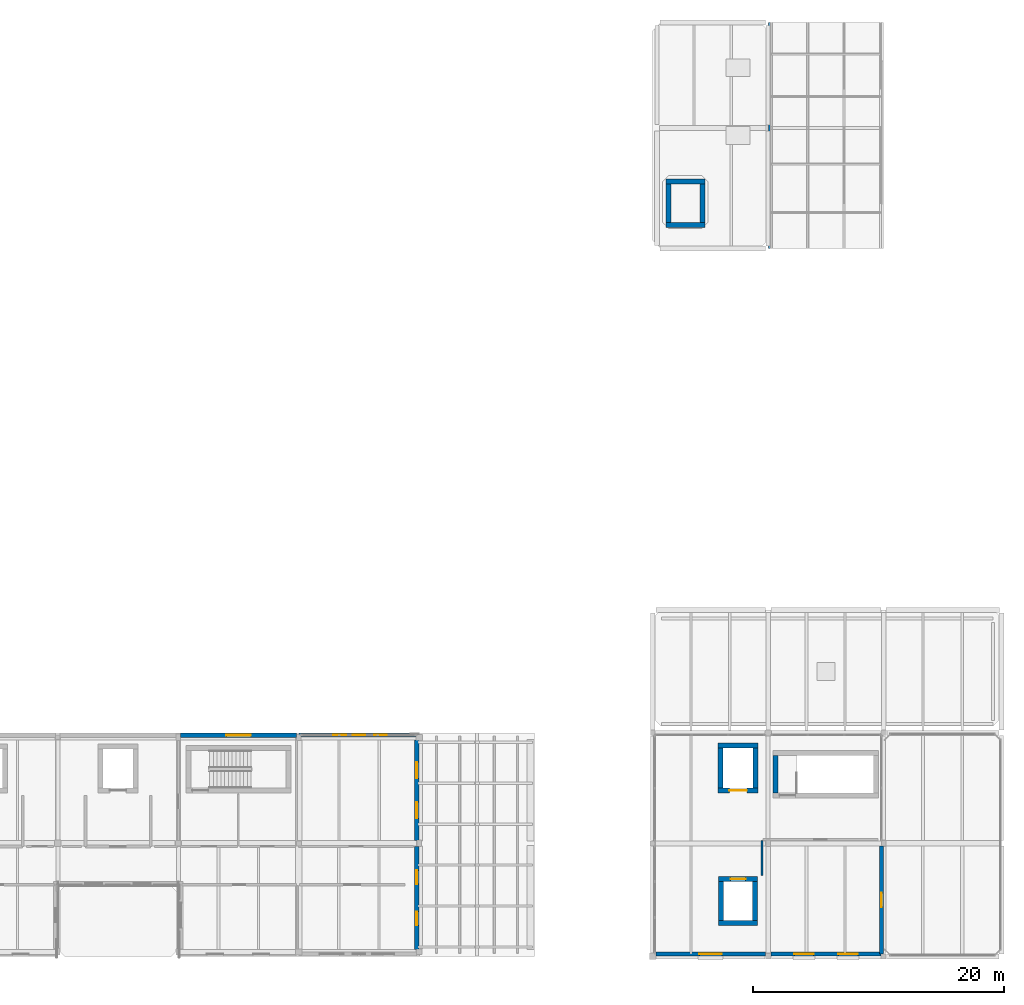
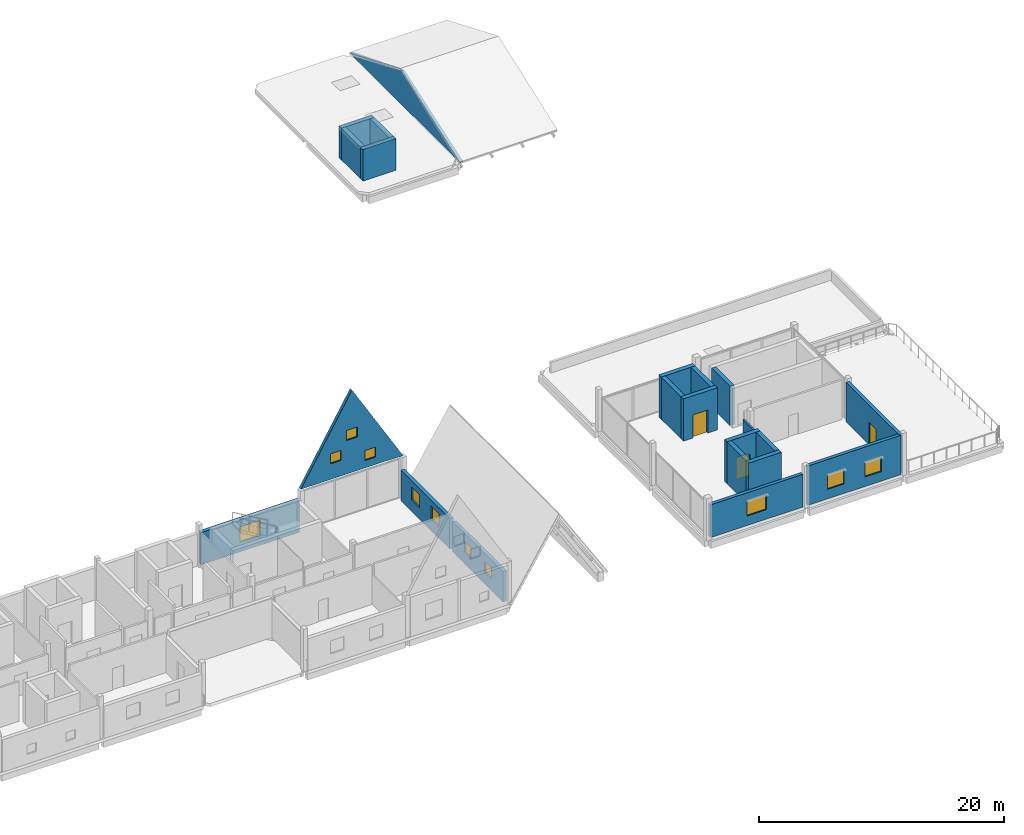
# One storey, part 16 of 23: 22 walls, 11 windows, 3 doors, 14 openings.
"""IFC4 building model written with IfcOpenShell, lengths in metres."""

from ifc_helpers import new_model, si_unit, direction, frame, frame_2d, origin, place, context, subcontext, project, spatial, polyline, rectangle, outline, extrude, material, layer, layer_set, type_object, element, fill, save


model = new_model("IFC4")

# Units and contexts
model_context = context("Model", 3, precision=1e-05, world=origin(), true_north=direction((0.0, 1.0)))
body_context = subcontext(model_context, "Body", "Model", "MODEL_VIEW")
ifc_project = project(units=[si_unit("LENGTHUNIT", "METRE"), si_unit("AREAUNIT", "SQUARE_METRE"), si_unit("VOLUMEUNIT", "CUBIC_METRE"), si_unit("PLANEANGLEUNIT", "RADIAN"), si_unit("MASSUNIT", "GRAM", prefix="KILO")], contexts=[model_context])

# Site, building, storey
site_placement = place(None, origin())
site = spatial("IfcSite", under=ifc_project, at=site_placement, CompositionType="ELEMENT")
building_placement = place(site_placement, origin())
building = spatial("IfcBuilding", under=site, at=building_placement, Name="Birchvale Park Specialist Clinic", CompositionType="ELEMENT")
storey_placement = place(building_placement, frame((0.0, 0.0, 18.0)))
storey = spatial("IfcBuildingStorey", under=building, at=storey_placement, Name="L04", CompositionType="ELEMENT", Elevation=18.0)

# Walls
ifc_material_1 = material(Name="Concrete C40/50", Category="concrete")
ifc_layer_1 = layer(ifc_material_1, 0.39990234375)
ifc_layer_set_1 = layer_set([ifc_layer_1], Name="Concrete C40/50")
wall_type_1 = type_object("IfcWallType", Name="WL-CW-120", PredefinedType="SHEAR", material=ifc_layer_set_1)
wall_1_placement = place(storey_placement, frame((137.800048828125, 29.800048828125, 0.0), z_axis=(0.0, 0.0, 1.0), x_axis=(0.0, 1.0, 0.0)))
element("IfcWall", 1, at=wall_1_placement, inside=storey, type_object=wall_type_1, Name="L04 stair ST6 EI 120 enclosure wall (west)", PredefinedType="SHEAR", context=body_context, shape_type="SweptSolid", body=[
    extrude(rectangle(XDim=3.0, YDim=0.39990234375, at=frame_2d((1.5, 0.0))), origin(), (0.0, 0.0, 1.0), 3.919921875),
])
for number, where, z_axis, x_axis, name in (
    (2, (129.050048828125, 75.050048828125, 0.0), (0.0, 0.0, 1.0), (1.0, 0.0, 0.0), "L04 lift LP2 shaft wall (south)"),
    (3, (132.14990234375, 78.550048828125, 0.0), (0.0, 0.0, 1.0), (-1.0, 0.0, 0.0), "L04 lift LP2 shaft wall (north)"),
):
    element("IfcWall", number, at=place(storey_placement, frame(where, z_axis=z_axis, x_axis=x_axis)), inside=storey, type_object=wall_type_1, Name=name, PredefinedType="SHEAR", context=body_context, shape_type="SweptSolid", body=[
        extrude(rectangle(XDim=3.099853515625, YDim=0.39990234375, at=frame_2d((1.5498046875, 0.0))), origin(), (0.0, 0.0, 1.0), 3.14990234375),
    ])
for number, where, z_axis, x_axis, name in (
    (4, (129.25, 75.25, 0.0), (0.0, 0.0, 1.0), (0.0, 1.0, 0.0), "L04 lift LP2 shaft wall (west)"),
    (5, (131.949951171875, 78.35009765625, 0.0), (0.0, 0.0, 1.0), (0.0, -1.0, 0.0), "L04 lift LP2 shaft wall (east)"),
):
    element("IfcWall", number, at=place(storey_placement, frame(where, z_axis=z_axis, x_axis=x_axis)), inside=storey, type_object=wall_type_1, Name=name, PredefinedType="SHEAR", context=body_context, shape_type="SweptSolid", body=[
        extrude(rectangle(XDim=3.10009765625, YDim=0.39990234375, at=frame_2d((1.550048828125, 0.0))), origin(), (0.0, 0.0, 1.0), 3.14990234375),
    ])
wall_2_placement = place(storey_placement, frame((133.25, 19.449951171875, 0.0), z_axis=(0.0, 0.0, 1.0), x_axis=(1.0, 0.0, 0.0)))
element("IfcWall", 6, at=wall_2_placement, inside=storey, type_object=wall_type_1, Name="L04 lift LP4 shaft wall (south)", PredefinedType="SHEAR", context=body_context, shape_type="SweptSolid", body=[
    extrude(rectangle(XDim=3.10009765625, YDim=0.39990234375, at=frame_2d((1.550048828125, 0.0))), origin(), (0.0, 0.0, 1.0), 4.199951171875),
])

# Wall, opening, door
wall_3_placement = place(storey_placement, frame((136.35009765625, 22.949951171875, 0.0), z_axis=(0.0, 0.0, 1.0), x_axis=(-1.0, 0.0, 0.0)))
wall_3 = element("IfcWall", 7, at=wall_3_placement, inside=storey, type_object=wall_type_1, Name="L04 lift LP4 shaft wall (north)", PredefinedType="SHEAR", context=body_context, shape_type="SweptSolid", body=[
    extrude(rectangle(XDim=3.10009765625, YDim=0.39990234375, at=frame_2d((1.550048828125, 0.0))), origin(), (0.0, 0.0, 1.0), 4.199951171875),
])
opening_1_placement = place(wall_3_placement, frame((0.949951171875, 0.0, 0.0)))
opening_1 = element("IfcOpeningElement", 8, at=opening_1_placement, cuts=wall_3, Name="Opening LD-01", PredefinedType="OPENING", context=body_context, shape_type="SweptSolid", body=[
    extrude(rectangle(XDim=1.199951171875, YDim=2.199951171875, at=frame_2d((0.60009765625, 1.10009765625))), frame((0.0, 0.2099609375, 0.0), z_axis=(0.0, -1.0, 0.0), x_axis=(1.0, 0.0, 0.0)), (0.0, 0.0, 1.0), 0.419921875),
])
ifc_material_2 = material(Name="Solid-core birch veneer and anodised aluminium", Category="aluminium")
door_type_1 = type_object("IfcDoorType", Name="DR-LD-01", OperationType="DOUBLE_DOOR_SLIDING", PredefinedType="DOOR", material=ifc_material_2)
door_1_placement = place(opening_1_placement, origin())
door_1 = element("IfcDoor", 9, at=door_1_placement, inside=storey, type_object=door_type_1, Name="L04 lift LP4 sliding landing door", OperationType="DOUBLE_DOOR_SLIDING", OverallHeight=2.199951171875, OverallWidth=1.199951171875, PredefinedType="DOOR", context=body_context, shape_type="SweptSolid", body=[
    extrude(rectangle(XDim=1.199951171875, YDim=2.199951171875, at=frame_2d((0.60009765625, 1.10009765625))), frame((0.0, 0.02490234375, 0.0), z_axis=(0.0, -1.0, 0.0), x_axis=(1.0, 0.0, 0.0)), (0.0, 0.0, 1.0), 0.050048828125),
])
fill(opening_1, door_1)

# Walls
for number, where, z_axis, x_axis, name in (
    (10, (133.449951171875, 19.64990234375, 0.0), (0.0, 0.0, 1.0), (0.0, 1.0, 0.0), "L04 lift LP4 shaft wall (west)"),
    (11, (136.14990234375, 22.75, 0.0), (0.0, 0.0, 1.0), (0.0, -1.0, 0.0), "L04 lift LP4 shaft wall (east)"),
):
    element("IfcWall", number, at=place(storey_placement, frame(where, z_axis=z_axis, x_axis=x_axis)), inside=storey, type_object=wall_type_1, Name=name, PredefinedType="SHEAR", context=body_context, shape_type="SweptSolid", body=[
        extrude(rectangle(XDim=3.10009765625, YDim=0.39990234375, at=frame_2d((1.550048828125, 0.0))), origin(), (0.0, 0.0, 1.0), 4.199951171875),
    ])

# Wall, opening, door
wall_4_placement = place(storey_placement, frame((133.199951171875, 30.0, 0.0), z_axis=(0.0, 0.0, 1.0), x_axis=(1.0, 0.0, 0.0)))
wall_4 = element("IfcWall", 12, at=wall_4_placement, inside=storey, type_object=wall_type_1, Name="L04 lift LS2 shaft wall (south)", PredefinedType="SHEAR", context=body_context, shape_type="SweptSolid", body=[
    extrude(rectangle(XDim=3.199951171875, YDim=0.39990234375, at=frame_2d((1.60009765625, 0.0))), origin(), (0.0, 0.0, 1.0), 4.199951171875),
])
opening_2_placement = place(wall_4_placement, frame((0.89990234375, 0.0, 0.0)))
opening_2 = element("IfcOpeningElement", 13, at=opening_2_placement, cuts=wall_4, Name="Opening LD-03", PredefinedType="OPENING", context=body_context, shape_type="SweptSolid", body=[
    extrude(rectangle(XDim=1.39990234375, YDim=2.300048828125, at=frame_2d((0.699951171875, 1.14990234375))), frame((0.0, 0.2099609375, 0.0), z_axis=(0.0, -1.0, 0.0), x_axis=(1.0, 0.0, 0.0)), (0.0, 0.0, 1.0), 0.419921875),
])
door_type_2 = type_object("IfcDoorType", Name="DR-LD-03", OperationType="DOUBLE_DOOR_SLIDING", PredefinedType="DOOR", material=ifc_material_2)
door_2_placement = place(opening_2_placement, origin())
door_2 = element("IfcDoor", 14, at=door_2_placement, inside=storey, type_object=door_type_2, Name="L04 lift LS2 sliding landing door", OperationType="DOUBLE_DOOR_SLIDING", OverallHeight=2.300048828125, OverallWidth=1.39990234375, PredefinedType="DOOR", context=body_context, shape_type="SweptSolid", body=[
    extrude(rectangle(XDim=1.39990234375, YDim=2.300048828125, at=frame_2d((0.699951171875, 1.14990234375))), frame((0.0, 0.02490234375, 0.0), z_axis=(0.0, -1.0, 0.0), x_axis=(1.0, 0.0, 0.0)), (0.0, 0.0, 1.0), 0.050048828125),
])
fill(opening_2, door_2)

# Walls
for number, where, z_axis, x_axis, name in (
    (15, (136.39990234375, 33.60009765625, 0.0), (0.0, 0.0, 1.0), (-1.0, 0.0, 0.0), "L04 lift LS2 shaft wall (north)"),
    (16, (133.39990234375, 30.199951171875, 0.0), (0.0, 0.0, 1.0), (0.0, 1.0, 0.0), "L04 lift LS2 shaft wall (west)"),
    (17, (136.199951171875, 33.39990234375, 0.0), (0.0, 0.0, 1.0), (0.0, -1.0, 0.0), "L04 lift LS2 shaft wall (east)"),
):
    element("IfcWall", number, at=place(storey_placement, frame(where, z_axis=z_axis, x_axis=x_axis)), inside=storey, type_object=wall_type_1, Name=name, PredefinedType="SHEAR", context=body_context, shape_type="SweptSolid", body=[
        extrude(rectangle(XDim=3.199951171875, YDim=0.39990234375, at=frame_2d((1.60009765625, 0.0))), origin(), (0.0, 0.0, 1.0), 4.199951171875),
    ])

# Wall, openings, windows
ifc_material_3 = material(Name="Lime-white mineral-rendered insulated masonry", Category="masonry")
ifc_layer_2 = layer(ifc_material_3, 0.340087890625)
ifc_layer_set_2 = layer_set([ifc_layer_2], Name="Lime-white mineral-rendered insulated masonry")
wall_type_2 = type_object("IfcWallType", Name="WL-EW-01", PredefinedType="STANDARD", material=ifc_layer_set_2)
wall_5_placement = place(storey_placement, frame((109.2099609375, 17.360107421875, 0.0), z_axis=(0.0, 0.0, 1.0), x_axis=(0.0, 1.0, 0.0)))
wall_5 = element("IfcWall", 18, at=wall_5_placement, inside=storey, type_object=wall_type_2, Name="V4 L04 exterior facade wall 282", PredefinedType="STANDARD", context=body_context, shape_type="SweptSolid", body=[
    extrude(rectangle(XDim=8.19482421875, YDim=0.340087890625, at=frame_2d((4.097412109375, 0.0))), origin(), (0.0, 0.0, 1.0), 3.034912109375),
])
opening_3_placement = place(wall_5_placement, frame((1.908447265625, 0.0, 1.14990234375)))
opening_3 = element("IfcOpeningElement", 19, at=opening_3_placement, cuts=wall_5, Name="Opening W-SQ11", PredefinedType="OPENING", context=body_context, shape_type="SweptSolid", body=[
    extrude(rectangle(XDim=1.10009765625, YDim=1.10009765625, at=frame_2d((0.550048828125, 0.550048828125))), frame((0.0, 0.18017578125, 0.0), z_axis=(0.0, -1.0, 0.0), x_axis=(1.0, 0.0, 0.0)), (0.0, 0.0, 1.0), 0.360107421875),
])
opening_4_placement = place(wall_5_placement, frame((5.1865234375, 0.0, 1.14990234375)))
opening_4 = element("IfcOpeningElement", 20, at=opening_4_placement, cuts=wall_5, Name="Opening W-SQ11", PredefinedType="OPENING", context=body_context, shape_type="SweptSolid", body=[
    extrude(rectangle(XDim=1.10009765625, YDim=1.10009765625, at=frame_2d((0.550048828125, 0.550048828125))), frame((0.0, 0.18017578125, 0.0), z_axis=(0.0, -1.0, 0.0), x_axis=(1.0, 0.0, 0.0)), (0.0, 0.0, 1.0), 0.360107421875),
])
ifc_material_4 = material(Name="Solar-control low-E double glazing", Category="glass")
window_type_1 = type_object("IfcWindowType", Name="WIN-W-SQ11", PartitioningType="SINGLE_PANEL", PredefinedType="WINDOW", material=ifc_material_4)
window_1_placement = place(opening_3_placement, origin())
window_1 = element("IfcWindow", 21, at=window_1_placement, inside=storey, type_object=window_type_1, Name="V4 L04 cased window 141", OverallHeight=1.10009765625, OverallWidth=1.10009765625, PartitioningType="SINGLE_PANEL", PredefinedType="WINDOW", context=body_context, shape_type="SweptSolid", body=[
    extrude(rectangle(XDim=1.10009765625, YDim=1.10009765625, at=frame_2d((0.550048828125, 0.550048828125))), frame((0.0, 0.030029296875, 0.0), z_axis=(0.0, -1.0, 0.0), x_axis=(1.0, 0.0, 0.0)), (0.0, 0.0, 1.0), 0.06005859375),
])
fill(opening_3, window_1)
window_2_placement = place(opening_4_placement, origin())
window_2 = element("IfcWindow", 22, at=window_2_placement, inside=storey, type_object=window_type_1, Name="V4 L04 cased window 142", OverallHeight=1.10009765625, OverallWidth=1.10009765625, PartitioningType="SINGLE_PANEL", PredefinedType="WINDOW", context=body_context, shape_type="SweptSolid", body=[
    extrude(rectangle(XDim=1.10009765625, YDim=1.10009765625, at=frame_2d((0.550048828125, 0.550048828125))), frame((0.0, 0.030029296875, 0.0), z_axis=(0.0, -1.0, 0.0), x_axis=(1.0, 0.0, 0.0)), (0.0, 0.0, 1.0), 0.06005859375),
])
fill(opening_4, window_2)

wall_6_placement = place(storey_placement, frame((109.2099609375, 26.044921875, 0.0), z_axis=(0.0, 0.0, 1.0), x_axis=(0.0, 1.0, 0.0)))
wall_6 = element("IfcWall", 23, at=wall_6_placement, inside=storey, type_object=wall_type_2, Name="V4 L04 exterior facade wall 283", PredefinedType="STANDARD", context=body_context, shape_type="SweptSolid", body=[
    extrude(rectangle(XDim=7.969970703125, YDim=0.340087890625, at=frame_2d((3.98486328125, 0.0))), origin(), (0.0, 0.0, 1.0), 3.034912109375),
])
opening_5_placement = place(wall_6_placement, frame((1.740966796875, 0.0, 1.14990234375)))
opening_5 = element("IfcOpeningElement", 24, at=opening_5_placement, cuts=wall_6, Name="Opening W-SQ13", PredefinedType="OPENING", context=body_context, shape_type="SweptSolid", body=[
    extrude(rectangle(XDim=1.300048828125, YDim=1.300048828125, at=frame_2d((0.64990234375, 0.64990234375))), frame((0.0, 0.18017578125, 0.0), z_axis=(0.0, -1.0, 0.0), x_axis=(1.0, 0.0, 0.0)), (0.0, 0.0, 1.0), 0.360107421875),
])
opening_6_placement = place(wall_6_placement, frame((4.928955078125, 0.0, 1.14990234375)))
opening_6 = element("IfcOpeningElement", 25, at=opening_6_placement, cuts=wall_6, Name="Opening W-SQ13", PredefinedType="OPENING", context=body_context, shape_type="SweptSolid", body=[
    extrude(rectangle(XDim=1.300048828125, YDim=1.300048828125, at=frame_2d((0.64990234375, 0.64990234375))), frame((0.0, 0.18017578125, 0.0), z_axis=(0.0, -1.0, 0.0), x_axis=(1.0, 0.0, 0.0)), (0.0, 0.0, 1.0), 0.360107421875),
])
window_type_2 = type_object("IfcWindowType", Name="WIN-W-SQ13", PartitioningType="SINGLE_PANEL", PredefinedType="WINDOW", material=ifc_material_4)
window_3_placement = place(opening_5_placement, origin())
window_3 = element("IfcWindow", 26, at=window_3_placement, inside=storey, type_object=window_type_2, Name="V4 L04 cased window 143", OverallHeight=1.300048828125, OverallWidth=1.300048828125, PartitioningType="SINGLE_PANEL", PredefinedType="WINDOW", context=body_context, shape_type="SweptSolid", body=[
    extrude(rectangle(XDim=1.300048828125, YDim=1.300048828125, at=frame_2d((0.64990234375, 0.64990234375))), frame((0.0, 0.030029296875, 0.0), z_axis=(0.0, -1.0, 0.0), x_axis=(1.0, 0.0, 0.0)), (0.0, 0.0, 1.0), 0.06005859375),
])
fill(opening_5, window_3)
window_4_placement = place(opening_6_placement, origin())
window_4 = element("IfcWindow", 27, at=window_4_placement, inside=storey, type_object=window_type_2, Name="V4 L04 cased window 144", OverallHeight=1.300048828125, OverallWidth=1.300048828125, PartitioningType="SINGLE_PANEL", PredefinedType="WINDOW", context=body_context, shape_type="SweptSolid", body=[
    extrude(rectangle(XDim=1.300048828125, YDim=1.300048828125, at=frame_2d((0.64990234375, 0.64990234375))), frame((0.0, 0.030029296875, 0.0), z_axis=(0.0, -1.0, 0.0), x_axis=(1.0, 0.0, 0.0)), (0.0, 0.0, 1.0), 0.06005859375),
])
fill(opening_6, window_4)

# Wall, opening, window
wall_7_placement = place(storey_placement, frame((99.6201171875, 34.409912109375, 0.0), z_axis=(0.0, 0.0, 1.0), x_axis=(-1.0, 0.0, 0.0)))
wall_7 = element("IfcWall", 28, at=wall_7_placement, inside=storey, type_object=wall_type_2, Name="V4 L04 exterior facade wall 284", PredefinedType="STANDARD", context=body_context, shape_type="SweptSolid", body=[
    extrude(rectangle(XDim=9.240234375, YDim=0.340087890625, at=frame_2d((4.6201171875, 0.0))), origin(), (0.0, 0.0, 1.0), 3.205078125),
])
opening_7_placement = place(wall_7_placement, frame((3.64501953125, 0.0, 0.949951171875)))
opening_7 = element("IfcOpeningElement", 29, at=opening_7_placement, cuts=wall_7, Name="Opening W-CL17", PredefinedType="OPENING", context=body_context, shape_type="SweptSolid", body=[
    extrude(rectangle(XDim=1.949951171875, YDim=1.550048828125, at=frame_2d((0.97509765625, 0.77490234375))), frame((0.0, 0.18017578125, 0.0), z_axis=(0.0, -1.0, 0.0), x_axis=(1.0, 0.0, 0.0)), (0.0, 0.0, 1.0), 0.360107421875),
])
window_type_3 = type_object("IfcWindowType", Name="WIN-W-CL17", PartitioningType="SINGLE_PANEL", PredefinedType="WINDOW", material=ifc_material_4)
window_5_placement = place(opening_7_placement, origin())
window_5 = element("IfcWindow", 30, at=window_5_placement, inside=storey, type_object=window_type_3, Name="V4 L04 cased window 145", OverallHeight=1.550048828125, OverallWidth=1.949951171875, PartitioningType="SINGLE_PANEL", PredefinedType="WINDOW", context=body_context, shape_type="SweptSolid", body=[
    extrude(rectangle(XDim=1.949951171875, YDim=1.550048828125, at=frame_2d((0.97509765625, 0.77490234375))), frame((0.0, 0.030029296875, 0.0), z_axis=(0.0, -1.0, 0.0), x_axis=(1.0, 0.0, 0.0)), (0.0, 0.0, 1.0), 0.06005859375),
])
fill(opening_7, window_5)

ifc_layer_3 = layer(ifc_material_3, 0.31005859375)
ifc_layer_set_3 = layer_set([ifc_layer_3], Name="Lime-white mineral-rendered insulated masonry")
wall_type_3 = type_object("IfcWallType", Name="WL-EW-02", PredefinedType="STANDARD", material=ifc_layer_set_3)
wall_8_placement = place(storey_placement, frame((128.2451171875, 16.97509765625, 0.0), z_axis=(0.0, 0.0, 1.0), x_axis=(1.0, 0.0, 0.0)))
wall_8 = element("IfcWall", 31, at=wall_8_placement, inside=storey, type_object=wall_type_3, Name="V5 L04 exterior facade wall 290", PredefinedType="STANDARD", context=body_context, shape_type="SweptSolid", body=[
    extrude(rectangle(XDim=8.73486328125, YDim=0.31005859375, at=frame_2d((4.367431640625, 0.0))), origin(), (0.0, 0.0, 1.0), 3.260009765625),
])
opening_8_placement = place(wall_8_placement, frame((3.467529296875, 0.0, 0.949951171875)))
opening_8 = element("IfcOpeningElement", 32, at=opening_8_placement, cuts=wall_8, Name="Opening W-CL05", PredefinedType="OPENING", context=body_context, shape_type="SweptSolid", body=[
    extrude(rectangle(XDim=1.800048828125, YDim=1.5, at=frame_2d((0.89990234375, 0.75))), frame((0.0, 0.1650390625, 0.0), z_axis=(0.0, -1.0, 0.0), x_axis=(1.0, 0.0, 0.0)), (0.0, 0.0, 1.0), 0.330078125),
])
window_type_4 = type_object("IfcWindowType", Name="WIN-W-CL05", PartitioningType="SINGLE_PANEL", PredefinedType="WINDOW", material=ifc_material_4)
window_6_placement = place(opening_8_placement, origin())
window_6 = element("IfcWindow", 33, at=window_6_placement, inside=storey, type_object=window_type_4, Name="V5 L04 cased window 146", OverallHeight=1.5, OverallWidth=1.800048828125, PartitioningType="SINGLE_PANEL", PredefinedType="WINDOW", context=body_context, shape_type="SweptSolid", body=[
    extrude(rectangle(XDim=1.800048828125, YDim=1.5, at=frame_2d((0.89990234375, 0.75))), frame((0.0, 0.030029296875, 0.0), z_axis=(0.0, -1.0, 0.0), x_axis=(1.0, 0.0, 0.0)), (0.0, 0.0, 1.0), 0.06005859375),
])
fill(opening_8, window_6)

# Wall, openings, windows
wall_9_placement = place(storey_placement, frame((137.419921875, 16.97509765625, 0.0), z_axis=(0.0, 0.0, 1.0), x_axis=(1.0, 0.0, 0.0)))
wall_9 = element("IfcWall", 34, at=wall_9_placement, inside=storey, type_object=wall_type_3, Name="V5 L04 exterior facade wall 291", PredefinedType="STANDARD", context=body_context, shape_type="SweptSolid", body=[
    extrude(rectangle(XDim=8.78515625, YDim=0.31005859375, at=frame_2d((4.392578125, 0.0))), origin(), (0.0, 0.0, 1.0), 3.919921875),
])
opening_9_placement = place(wall_9_placement, frame((1.860595703125, 0.0, 0.949951171875)))
opening_9 = element("IfcOpeningElement", 35, at=opening_9_placement, cuts=wall_9, Name="Opening W-CL15", PredefinedType="OPENING", context=body_context, shape_type="SweptSolid", body=[
    extrude(rectangle(XDim=1.550048828125, YDim=1.449951171875, at=frame_2d((0.77490234375, 0.72509765625))), frame((0.0, 0.1650390625, 0.0), z_axis=(0.0, -1.0, 0.0), x_axis=(1.0, 0.0, 0.0)), (0.0, 0.0, 1.0), 0.330078125),
])
opening_10_placement = place(wall_9_placement, frame((5.37451171875, 0.0, 0.949951171875)))
opening_10 = element("IfcOpeningElement", 36, at=opening_10_placement, cuts=wall_9, Name="Opening W-CL15", PredefinedType="OPENING", context=body_context, shape_type="SweptSolid", body=[
    extrude(rectangle(XDim=1.550048828125, YDim=1.449951171875, at=frame_2d((0.77490234375, 0.72509765625))), frame((0.0, 0.1650390625, 0.0), z_axis=(0.0, -1.0, 0.0), x_axis=(1.0, 0.0, 0.0)), (0.0, 0.0, 1.0), 0.330078125),
])
window_type_5 = type_object("IfcWindowType", Name="WIN-W-CL15", PartitioningType="SINGLE_PANEL", PredefinedType="WINDOW", material=ifc_material_4)
window_7_placement = place(opening_9_placement, origin())
window_7 = element("IfcWindow", 37, at=window_7_placement, inside=storey, type_object=window_type_5, Name="V5 L04 cased window 147", OverallHeight=1.449951171875, OverallWidth=1.550048828125, PartitioningType="SINGLE_PANEL", PredefinedType="WINDOW", context=body_context, shape_type="SweptSolid", body=[
    extrude(rectangle(XDim=1.550048828125, YDim=1.449951171875, at=frame_2d((0.77490234375, 0.72509765625))), frame((0.0, 0.030029296875, 0.0), z_axis=(0.0, -1.0, 0.0), x_axis=(1.0, 0.0, 0.0)), (0.0, 0.0, 1.0), 0.06005859375),
])
fill(opening_9, window_7)
window_8_placement = place(opening_10_placement, origin())
window_8 = element("IfcWindow", 38, at=window_8_placement, inside=storey, type_object=window_type_5, Name="V5 L04 cased window 148", OverallHeight=1.449951171875, OverallWidth=1.550048828125, PartitioningType="SINGLE_PANEL", PredefinedType="WINDOW", context=body_context, shape_type="SweptSolid", body=[
    extrude(rectangle(XDim=1.550048828125, YDim=1.449951171875, at=frame_2d((0.77490234375, 0.72509765625))), frame((0.0, 0.030029296875, 0.0), z_axis=(0.0, -1.0, 0.0), x_axis=(1.0, 0.0, 0.0)), (0.0, 0.0, 1.0), 0.06005859375),
])
fill(opening_10, window_8)

# Wall, opening, door
wall_10_placement = place(storey_placement, frame((146.22509765625, 16.9951171875, 0.0), z_axis=(0.0, 0.0, 1.0), x_axis=(0.0, 1.0, 0.0)))
wall_10 = element("IfcWall", 39, at=wall_10_placement, inside=storey, type_object=wall_type_3, Name="V5 L04 exterior facade wall 292", PredefinedType="STANDARD", context=body_context, shape_type="SweptSolid", body=[
    extrude(rectangle(XDim=8.5849609375, YDim=0.31005859375, at=frame_2d((4.29248046875, 0.0))), origin(), (0.0, 0.0, 1.0), 3.919921875),
])
opening_11_placement = place(wall_10_placement, frame((3.717529296875, 0.0, 0.0)))
opening_11 = element("IfcOpeningElement", 40, at=opening_11_placement, cuts=wall_10, Name="Opening ED-05", PredefinedType="OPENING", context=body_context, shape_type="SweptSolid", body=[
    extrude(rectangle(XDim=1.14990234375, YDim=2.199951171875, at=frame_2d((0.574951171875, 1.10009765625))), frame((0.0, 0.1650390625, 0.0), z_axis=(0.0, -1.0, 0.0), x_axis=(1.0, 0.0, 0.0)), (0.0, 0.0, 1.0), 0.330078125),
])
ifc_material_5 = material(Name="Powder-coated aluminium and laminated safety glass", Category="aluminium")
door_type_3 = type_object("IfcDoorType", Name="DR-ED-05", OperationType="NOTDEFINED", PredefinedType="DOOR", material=ifc_material_5)
door_3_placement = place(opening_11_placement, frame((1.14990234375, 0.0, 0.0), z_axis=(0.0, 0.0, 1.0), x_axis=(-1.0, 0.0, 0.0)))
door_3 = element("IfcDoor", 41, at=door_3_placement, inside=storey, type_object=door_type_3, Name="V5 L04 accessible roof terrace door 41", OperationType="SINGLE_SWING_RIGHT", OverallHeight=2.199951171875, OverallWidth=1.14990234375, PredefinedType="DOOR", context=body_context, shape_type="SweptSolid", body=[
    extrude(rectangle(XDim=1.14990234375, YDim=2.199951171875, at=frame_2d((0.574951171875, 1.10009765625))), frame((0.0, 0.02490234375, 0.0), z_axis=(0.0, -1.0, 0.0), x_axis=(1.0, 0.0, 0.0)), (0.0, 0.0, 1.0), 0.050048828125),
])
fill(opening_11, door_3)

# Wall, openings, windows
wall_11_placement = place(storey_placement, frame((109.39990234375, 34.425048828125, 4.199951171875), z_axis=(0.0, 0.0, 1.0), x_axis=(-1.0, 0.0, 0.0)))
wall_11 = element("IfcWall", 42, at=wall_11_placement, inside=storey, type_object=wall_type_3, Name="L05 white house-gable end wall Bay 6 N", PredefinedType="STANDARD", context=body_context, shape_type="SweptSolid", body=[
    extrude(outline(polyline([(0.0, 0.0), (9.599853515625, 0.0), (9.60009765625, 0.0), (4.800048828125, 8.18994140625), (0.0, 0.0), (0.0, 0.0)])), frame((0.0, 0.155029296875, 0.0), z_axis=(0.0, -1.0, 0.0), x_axis=(1.0, 0.0, 0.0)), (0.0, 0.0, 1.0), 0.31005859375),
])
opening_12_placement = place(wall_11_placement, frame((2.572021484375, 0.0, 0.75)))
opening_12 = element("IfcOpeningElement", 43, at=opening_12_placement, cuts=wall_11, Name="Opening W-SQ10", PredefinedType="OPENING", context=body_context, shape_type="SweptSolid", body=[
    extrude(rectangle(XDim=1.0, YDim=1.0, at=frame_2d((0.5, 0.5))), frame((0.0, 0.1650390625, 0.0), z_axis=(0.0, -1.0, 0.0), x_axis=(1.0, 0.0, 0.0)), (0.0, 0.0, 1.0), 0.330078125),
])
opening_13_placement = place(wall_11_placement, frame((5.8359375, 0.0, 1.550048828125)))
opening_13 = element("IfcOpeningElement", 44, at=opening_13_placement, cuts=wall_11, Name="Opening W-SQ10", PredefinedType="OPENING", context=body_context, shape_type="SweptSolid", body=[
    extrude(rectangle(XDim=1.0, YDim=1.0, at=frame_2d((0.5, 0.5))), frame((0.0, 0.1650390625, 0.0), z_axis=(0.0, -1.0, 0.0), x_axis=(1.0, 0.0, 0.0)), (0.0, 0.0, 1.0), 0.330078125),
])
opening_14_placement = place(wall_11_placement, frame((4.300048828125, 0.0, 3.35009765625)))
opening_14 = element("IfcOpeningElement", 45, at=opening_14_placement, cuts=wall_11, Name="Opening W-SQ10", PredefinedType="OPENING", context=body_context, shape_type="SweptSolid", body=[
    extrude(rectangle(XDim=1.0, YDim=1.0, at=frame_2d((0.5, 0.5))), frame((0.0, 0.1650390625, 0.0), z_axis=(0.0, -1.0, 0.0), x_axis=(1.0, 0.0, 0.0)), (0.0, 0.0, 1.0), 0.330078125),
])
window_type_6 = type_object("IfcWindowType", Name="WIN-W-SQ10", PartitioningType="SINGLE_PANEL", PredefinedType="WINDOW", material=ifc_material_4)
window_9_placement = place(opening_12_placement, origin())
window_9 = element("IfcWindow", 46, at=window_9_placement, inside=storey, type_object=window_type_6, Name="L05 gable square window Bay 6 N.1", OverallHeight=1.0, OverallWidth=1.0, PartitioningType="SINGLE_PANEL", PredefinedType="WINDOW", context=body_context, shape_type="SweptSolid", body=[
    extrude(rectangle(XDim=1.0, YDim=1.0, at=frame_2d((0.5, 0.5))), frame((0.0, 0.030029296875, 0.0), z_axis=(0.0, -1.0, 0.0), x_axis=(1.0, 0.0, 0.0)), (0.0, 0.0, 1.0), 0.06005859375),
])
fill(opening_12, window_9)
window_10_placement = place(opening_13_placement, origin())
window_10 = element("IfcWindow", 47, at=window_10_placement, inside=storey, type_object=window_type_6, Name="L05 gable square window Bay 6 N.2", OverallHeight=1.0, OverallWidth=1.0, PartitioningType="SINGLE_PANEL", PredefinedType="WINDOW", context=body_context, shape_type="SweptSolid", body=[
    extrude(rectangle(XDim=1.0, YDim=1.0, at=frame_2d((0.5, 0.5))), frame((0.0, 0.030029296875, 0.0), z_axis=(0.0, -1.0, 0.0), x_axis=(1.0, 0.0, 0.0)), (0.0, 0.0, 1.0), 0.06005859375),
])
fill(opening_13, window_10)
window_11_placement = place(opening_14_placement, origin())
window_11 = element("IfcWindow", 48, at=window_11_placement, inside=storey, type_object=window_type_6, Name="L05 gable square window Bay 6 N.3", OverallHeight=1.0, OverallWidth=1.0, PartitioningType="SINGLE_PANEL", PredefinedType="WINDOW", context=body_context, shape_type="SweptSolid", body=[
    extrude(rectangle(XDim=1.0, YDim=1.0, at=frame_2d((0.5, 0.5))), frame((0.0, 0.030029296875, 0.0), z_axis=(0.0, -1.0, 0.0), x_axis=(1.0, 0.0, 0.0)), (0.0, 0.0, 1.0), 0.06005859375),
])
fill(opening_14, window_11)

# Walls
wall_12_placement = place(storey_placement, frame((137.3798828125, 73.199951171875, 0.0), z_axis=(0.0, 0.0, 1.0), x_axis=(0.0, 1.0, 0.0)))
element("IfcWall", 49, at=wall_12_placement, inside=storey, type_object=wall_type_3, Name="L04 pitched gable tympanum wall V6-L04-W", PredefinedType="STANDARD", context=body_context, shape_type="SweptSolid", body=[
    extrude(outline(polyline([(0.0, 0.0), (18.0, 0.0), (18.0, 0.0), (9.60009765625, 3.300048828125), (0.0, 0.0), (0.0, 0.0)])), frame((0.0, 0.155029296875, 0.0), z_axis=(0.0, -1.0, 0.0), x_axis=(1.0, 0.0, 0.0)), (0.0, 0.0, 1.0), 0.31005859375),
])
ifc_material_6 = material(Name="Acoustic gypsum board on metal framing")
ifc_layer_4 = layer(ifc_material_6, 0.179931640625)
ifc_layer_set_4 = layer_set([ifc_layer_4], Name="Acoustic gypsum board on metal framing")
wall_type_4 = type_object("IfcWallType", Name="WL-IW-60", PredefinedType="PARTITIONING", material=ifc_layer_set_4)
wall_13_placement = place(storey_placement, frame((136.699951171875, 23.22998046875, 0.0), z_axis=(0.0, 0.0, 1.0), x_axis=(0.0, 1.0, 0.0)))
element("IfcWall", 50, at=wall_13_placement, inside=storey, type_object=wall_type_4, Name="V5 L04 clinical partition 567", PredefinedType="PARTITIONING", context=body_context, shape_type="SweptSolid", body=[
    extrude(rectangle(XDim=2.7900390625, YDim=0.179931640625, at=frame_2d((1.39501953125, 0.0))), origin(), (0.0, 0.0, 1.0), 3.27001953125),
])

save(model, "model.ifc")
